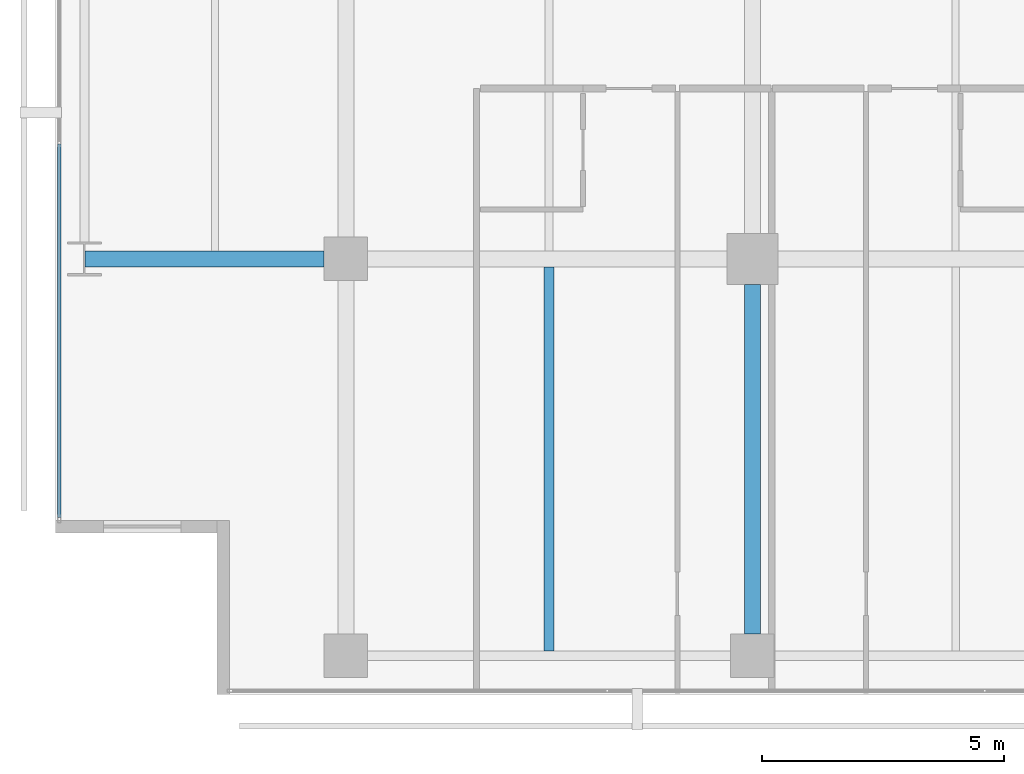
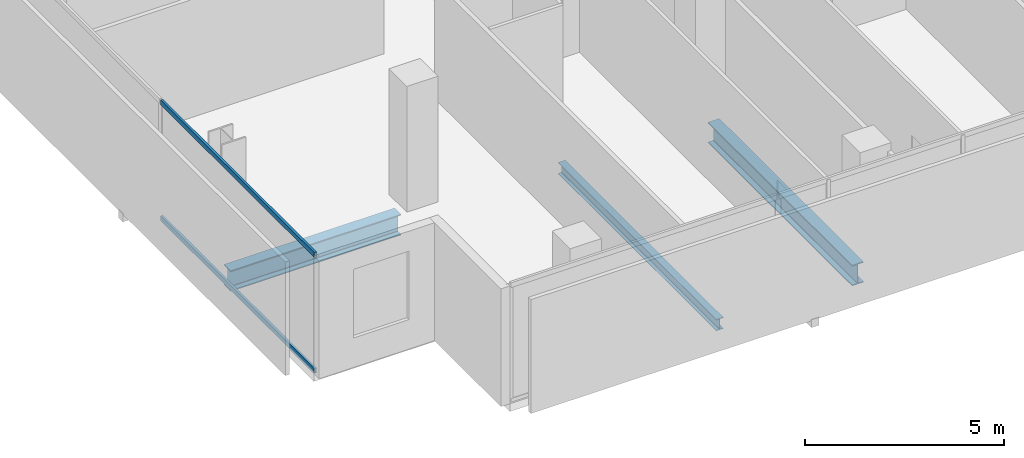
# One storey, part 4 of 40: 3 beams, 2 members, 1 element without a shape of its own.
"""IFC4 building model written with IfcOpenShell, lengths in metres."""

from ifc_helpers import new_model, si_unit, direction, frame, origin, origin_2d, place, context, subcontext, project, spatial, hollow_rectangle, i_section, extrude, material, layer, layer_set, material_profile, profile_set, type_object, element, aggregate, save


model = new_model("IFC4")

# Units and contexts
model_context = context("Model", 3, precision=1e-05, world=origin(), true_north=direction((0.0, 1.0)))
body_context = subcontext(model_context, "Body", "Model", "MODEL_VIEW")
ifc_project = project(units=[si_unit("LENGTHUNIT", "METRE"), si_unit("AREAUNIT", "SQUARE_METRE"), si_unit("VOLUMEUNIT", "CUBIC_METRE"), si_unit("PLANEANGLEUNIT", "RADIAN"), si_unit("MASSUNIT", "GRAM", prefix="KILO")], contexts=[model_context])

# Site, building, storey
site_placement = place(None, origin())
site = spatial("IfcSite", under=ifc_project, at=site_placement, CompositionType="ELEMENT")
building_placement = place(site_placement, origin())
building = spatial("IfcBuilding", under=site, at=building_placement, Name="Maruvema Waterfront Hotel and Observation Tower", CompositionType="ELEMENT")
storey_placement = place(building_placement, frame((0.0, 0.0, 30.800048828125)))
storey = spatial("IfcBuildingStorey", under=building, at=storey_placement, Name="L06", CompositionType="ELEMENT", Elevation=30.800048828125)

# Curtain wall, members
ifc_material_1 = material(Name="Anodised bronze aluminium and solar-control low-E IGU", Category="aluminium")
ifc_layer = layer(ifc_material_1, 0.159912109375, Name="Zone 1 Bronze Inner Thermal Curtain Wall System CW-02")
ifc_layer_set = layer_set([ifc_layer], Name="Anodised bronze aluminium and solar-control low-E IGU")
curtain_wall_type = type_object("IfcCurtainWallType", Name="Zone 1 Bronze Inner Thermal Curtain Wall System CW-02", PredefinedType="USERDEFINED", material=ifc_layer_set)
curtain_wall_placement = place(storey_placement, origin())
curtain_wall = element("IfcCurtainWall", 1, at=curtain_wall_placement, inside=storey, type_object=curtain_wall_type, Name="L06 Curtain Wall CW-L06-W", ObjectType="UNITISED CURTAIN WALL", PredefinedType="USERDEFINED")
ifc_material_2 = material(Name="Anodised architectural bronze aluminium", Category="aluminium")
ifc_material_profile_1 = material_profile(ifc_material_2, hollow_rectangle(XDim=0.070068359375, YDim=0.14990234375, WallThickness=0.00390625, at=origin_2d()), Name="ALU-T70x150")
ifc_profile_set_1 = profile_set([ifc_material_profile_1], Name="Anodised architectural bronze aluminium")
member_type = type_object("IfcMemberType", Name="Curtain Wall Horizontal Transom ALU-T70x150", PredefinedType="USERDEFINED", material=ifc_profile_set_1)
member_1_placement = place(storey_placement, frame((10.8798828125, 11.3701171875, 0.030029296875), z_axis=(0.0, -1.0, 0.0), x_axis=(1.0, 0.0, 0.0)))
member_1 = element("IfcMember", 2, at=member_1_placement, type_object=member_type, Name="CW-02 transom 6.1", ObjectType="TRANSOM", PredefinedType="USERDEFINED", context=body_context, shape_type="SweptSolid", body=[
    extrude(hollow_rectangle(XDim=0.070068359375, YDim=0.14990234375, WallThickness=0.00390625, at=origin_2d()), origin(), (0.0, 0.0, 1.0), 7.710205078125),
])
member_2_placement = place(storey_placement, frame((10.8798828125, 11.3701171875, 3.579833984375), z_axis=(0.0, -1.0, 0.0), x_axis=(1.0, 0.0, 0.0)))
member_2 = element("IfcMember", 3, at=member_2_placement, type_object=member_type, Name="CW-02 transom 6.2", ObjectType="TRANSOM", PredefinedType="USERDEFINED", context=body_context, shape_type="SweptSolid", body=[
    extrude(hollow_rectangle(XDim=0.070068359375, YDim=0.14990234375, WallThickness=0.00390625, at=origin_2d()), origin(), (0.0, 0.0, 1.0), 7.710205078125),
])
aggregate(curtain_wall, [member_1, member_2])

# Beams
ifc_material_3 = material(Name="Steel ASTM A572 Grade 50", Category="steel")
ifc_material_profile_2 = material_profile(ifc_material_3, i_section(OverallWidth=0.3291015625, OverallDepth=0.635009765625, WebThickness=0.017822265625, FlangeThickness=0.031005859375, FilletRadius=0.01806640625, at=origin_2d()), Name="W610x241.0")
ifc_profile_set_2 = profile_set([ifc_material_profile_2], Name="Steel ASTM A572 Grade 50")
beam_type_1 = type_object("IfcBeamType", Name="Primary Floor Girder W610x241.0", PredefinedType="BEAM", material=ifc_profile_set_2)
beam_1_placement = place(storey_placement, frame((11.4140625, 9.0, -0.5576171875), z_axis=(1.0, 0.0, 0.0), x_axis=(0.0, 1.0, 0.0)))
element("IfcBeam", 4, at=beam_1_placement, inside=storey, type_object=beam_type_1, Name="L06 Floor Girder EW-06", PredefinedType="BEAM", context=body_context, shape_type="SweptSolid", body=[
    extrude(i_section(OverallWidth=0.3291015625, OverallDepth=0.635009765625, WebThickness=0.017822265625, FlangeThickness=0.031005859375, FilletRadius=0.01806640625, at=origin_2d()), origin(), (0.0, 0.0, 1.0), 4.93603515625),
])
beam_2_placement = place(storey_placement, frame((25.199951171875, 1.25, -0.5576171875), z_axis=(0.0, 1.0, 0.0), x_axis=(-1.0, 0.0, 0.0)))
element("IfcBeam", 5, at=beam_2_placement, inside=storey, type_object=beam_type_1, Name="L06 Floor Girder NS-11", PredefinedType="BEAM", context=body_context, shape_type="SweptSolid", body=[
    extrude(i_section(OverallWidth=0.3291015625, OverallDepth=0.635009765625, WebThickness=0.017822265625, FlangeThickness=0.031005859375, FilletRadius=0.01806640625, at=origin_2d()), origin(), (0.0, 0.0, 1.0), 7.22509765625),
])
ifc_material_4 = material(Name="Steel ASTM A572 Grade 50", Category="steel")
ifc_material_profile_3 = material_profile(ifc_material_4, i_section(OverallWidth=0.202880859375, OverallDepth=0.346923828125, WebThickness=0.0078125, FlangeThickness=0.013427734375, FilletRadius=0.014892578125, at=origin_2d()), Name="W360x64.0")
ifc_profile_set_3 = profile_set([ifc_material_profile_3], Name="Steel ASTM A572 Grade 50")
beam_type_2 = type_object("IfcBeamType", Name="Secondary Floor Joist W360x64.0", PredefinedType="JOIST", material=ifc_profile_set_3)
beam_3_placement = place(storey_placement, frame((21.0, 0.89501953125, -0.41357421875), z_axis=(0.0, 1.0, 0.0), x_axis=(-1.0, 0.0, 0.0)))
element("IfcBeam", 6, at=beam_3_placement, inside=storey, type_object=beam_type_2, Name="L06 Secondary Floor Joist JS-05", PredefinedType="JOIST", context=body_context, shape_type="SweptSolid", body=[
    extrude(i_section(OverallWidth=0.202880859375, OverallDepth=0.346923828125, WebThickness=0.0078125, FlangeThickness=0.013427734375, FilletRadius=0.014892578125, at=origin_2d()), origin(), (0.0, 0.0, 1.0), 7.9404296875),
])

save(model, "model.ifc")
